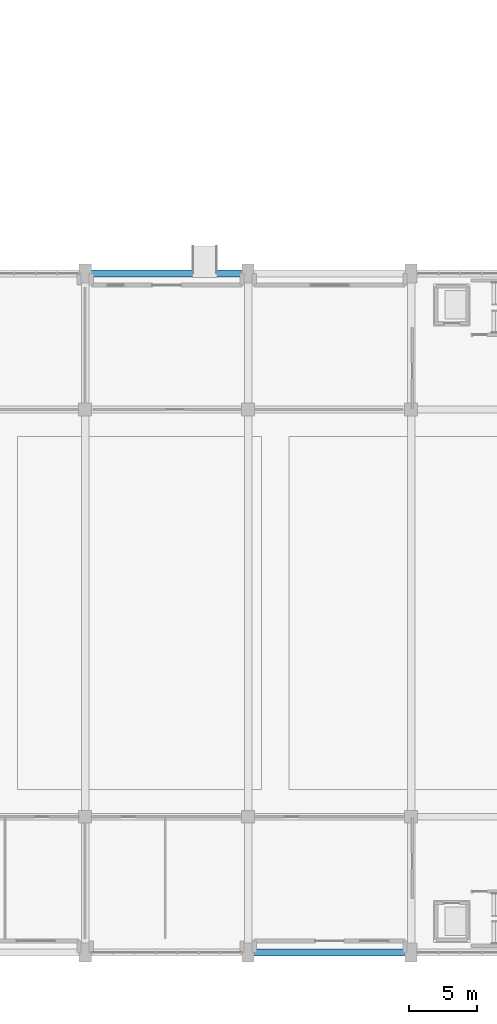
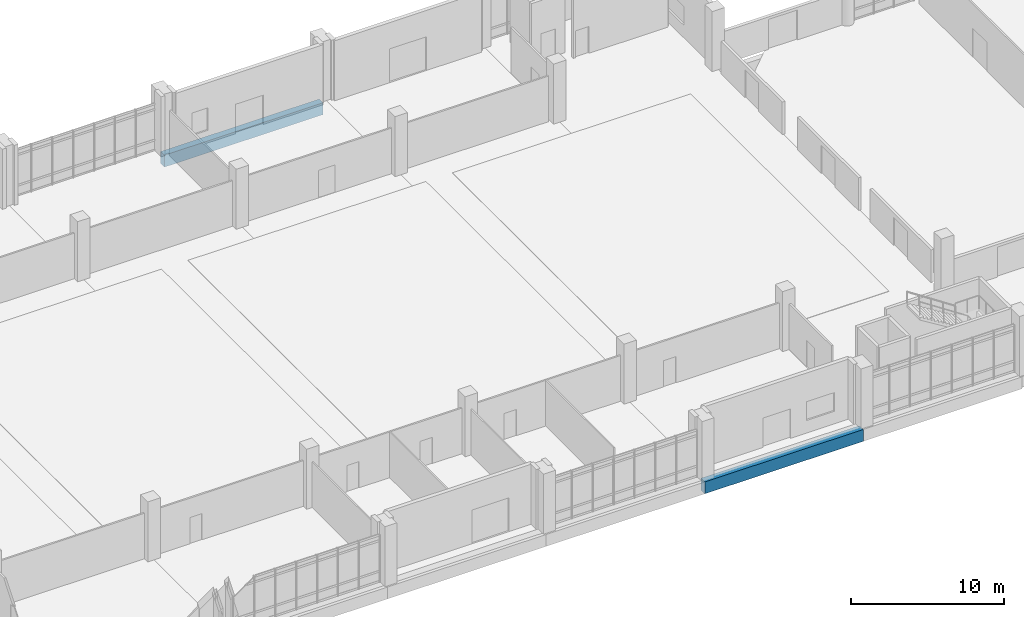
# One storey, part 19 of 87: 2 beams.
"""IFC4 building model written with IfcOpenShell, lengths in metres."""

from ifc_helpers import new_model, si_unit, direction, frame, origin, origin_2d, place, context, subcontext, project, spatial, rectangle, extrude, material, material_profile, profile_set, type_object, element, save


model = new_model("IFC4")

# Units and contexts
model_context = context("Model", 3, precision=1e-05, world=origin(), true_north=direction((0.0, 1.0)))
body_context = subcontext(model_context, "Body", "Model", "MODEL_VIEW")
ifc_project = project(units=[si_unit("LENGTHUNIT", "METRE"), si_unit("AREAUNIT", "SQUARE_METRE"), si_unit("VOLUMEUNIT", "CUBIC_METRE"), si_unit("PLANEANGLEUNIT", "RADIAN"), si_unit("MASSUNIT", "GRAM", prefix="KILO")], contexts=[model_context])

# Site, building, storey
site_placement = place(None, origin())
site = spatial("IfcSite", under=ifc_project, at=site_placement, CompositionType="ELEMENT")
building_placement = place(site_placement, origin())
building = spatial("IfcBuilding", under=site, at=building_placement, Name="Mersad Railyard Sports Hall", CompositionType="ELEMENT")
storey_placement = place(building_placement, origin())
storey = spatial("IfcBuildingStorey", under=building, at=storey_placement, Name="L00", CompositionType="ELEMENT", Elevation=0.0)

# Beams
ifc_material = material(Name="Concrete C50/60", Category="concrete")
ifc_material_profile = material_profile(ifc_material, rectangle(XDim=0.5, YDim=0.949951171875, at=origin_2d()), Name="RC 500x950")
ifc_profile_set = profile_set([ifc_material_profile], Name="Concrete C50/60")
beam_type = type_object("IfcBeamType", Name="STR-BM-B03", PredefinedType="BEAM", material=ifc_profile_set)
for number, where, z_axis, x_axis, name in (
    (1, (67.0, 3.5, -0.925048828125), (1.0, 0.0, 0.0), (0.0, 1.0, 0.0), "Beam B03-0006"),
    (2, (55.0, 53.5, -0.925048828125), (1.0, 0.0, 0.0), (0.0, 1.0, 0.0), "Beam B03-0026"),
):
    element("IfcBeam", number, at=place(storey_placement, frame(where, z_axis=z_axis, x_axis=x_axis)), inside=storey, type_object=beam_type, Name=name, PredefinedType="BEAM", context=body_context, shape_type="SweptSolid", body=[
        extrude(rectangle(XDim=0.5, YDim=0.949951171875, at=origin_2d()), origin(), (0.0, 0.0, 1.0), 12.0),
    ])

save(model, "model.ifc")
